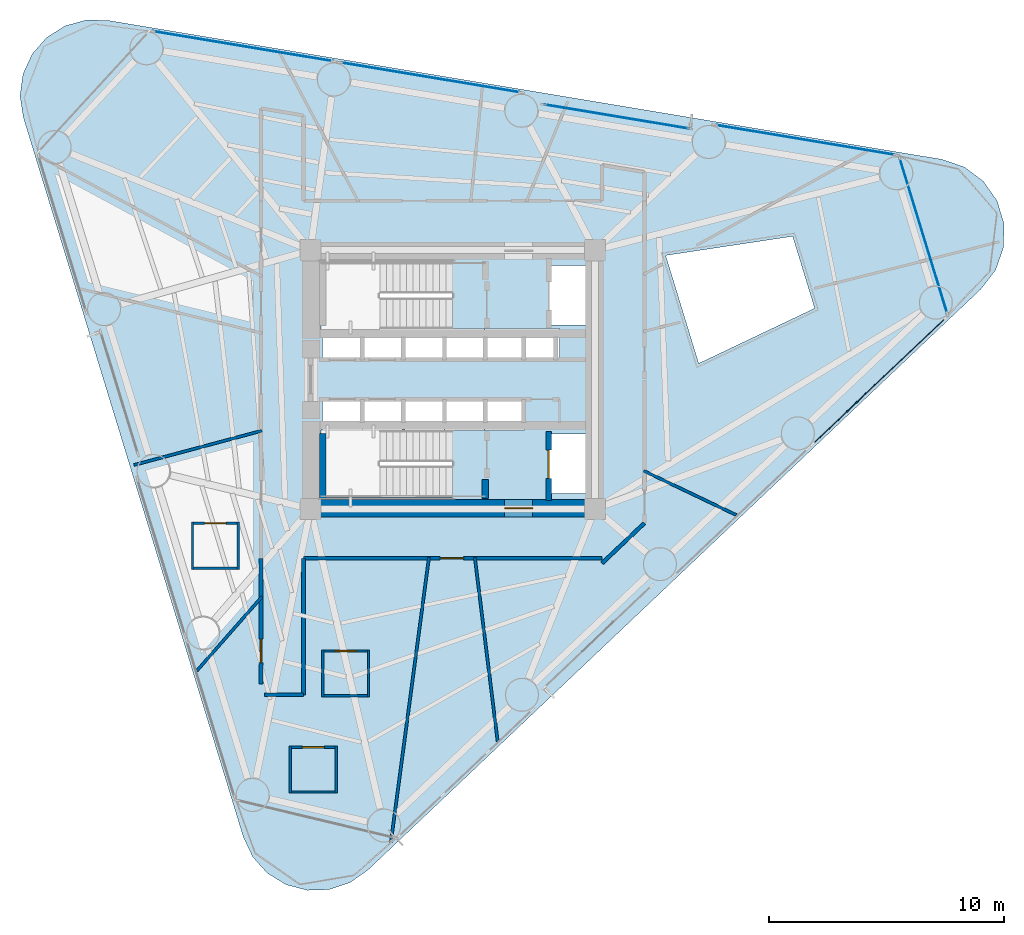
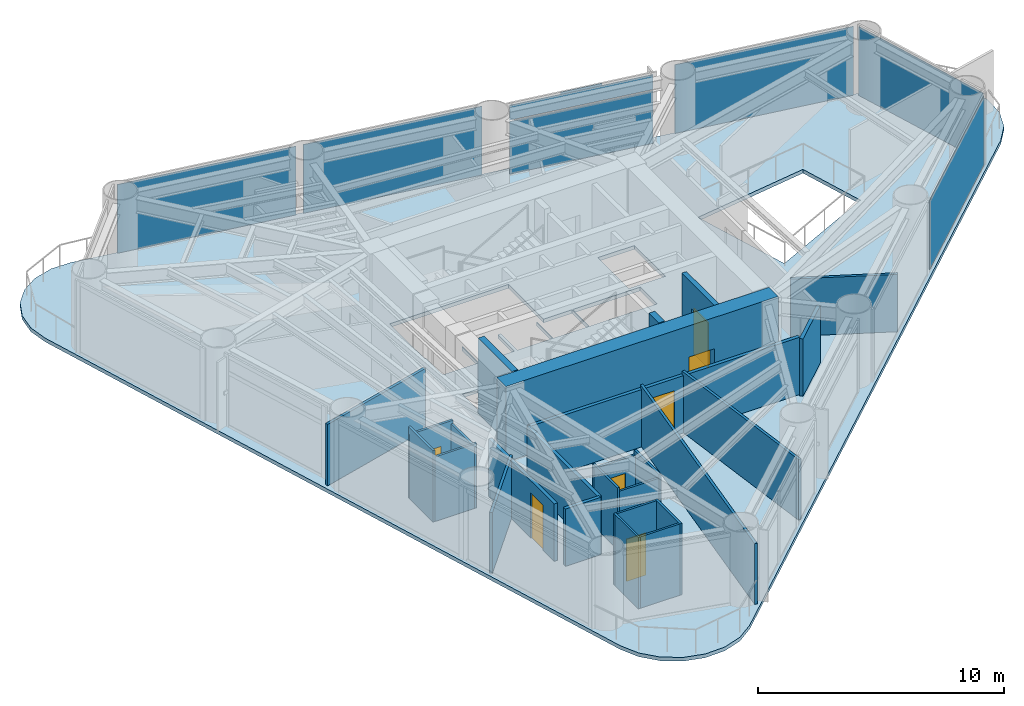
# One storey, part 5 of 10: 26 walls, 8 plates, 7 doors, 1 slab, 7 openings, 6 elements without a shape of their own.
"""IFC4 building model written with IfcOpenShell, lengths in metres."""

from ifc_helpers import new_model, si_unit, direction, frame, frame_2d, origin, origin_2d, place, context, subcontext, project, spatial, polyline, rectangle, outline, extrude, source, transform, mapped, material, layer, layer_set, type_object, element, fill, aggregate, save


model = new_model("IFC4")

# Units and contexts
model_context = context("Model", 3, precision=1e-05, world=origin(), true_north=direction((0.0, 1.0)))
body_context = subcontext(model_context, "Body", "Model", "MODEL_VIEW")
ifc_project = project(units=[si_unit("LENGTHUNIT", "METRE"), si_unit("AREAUNIT", "SQUARE_METRE"), si_unit("VOLUMEUNIT", "CUBIC_METRE"), si_unit("PLANEANGLEUNIT", "RADIAN"), si_unit("MASSUNIT", "GRAM", prefix="KILO")], contexts=[model_context])

# Site, building, storey
site_placement = place(None, origin())
site = spatial("IfcSite", under=ifc_project, at=site_placement, CompositionType="ELEMENT")
building_placement = place(site_placement, origin())
building = spatial("IfcBuilding", under=site, at=building_placement, Name="Yunling Apex Tower", CompositionType="ELEMENT")
storey_placement = place(building_placement, frame((0.0, 0.0, 112.39990234375)))
storey = spatial("IfcBuildingStorey", under=building, at=storey_placement, Name="L28", CompositionType="ELEMENT", Elevation=112.39990234375)

# Slab
ifc_material_1 = material(Name="Concrete C40", Category="concrete")
ifc_layer_1 = layer(ifc_material_1, 0.179931640625)
ifc_layer_set_1 = layer_set([ifc_layer_1], Name="Concrete C40")
slab_type = type_object("IfcSlabType", Name="SL-FLR-1", PredefinedType="FLOOR", material=ifc_layer_set_1)
slab_placement = place(storey_placement, frame((0.0, 0.0, -0.184814453125)))
element("IfcSlab", 1, at=slab_placement, inside=storey, type_object=slab_type, Name="L28 Composite Tower Floor Slab", PredefinedType="FLOOR", context=body_context, shape_type="SweptSolid", body=[
    extrude(outline(polyline([(-8.89990234375, -19.45263671875), (-8.50146484375, -20.294921875), (-7.87841796875, -20.98779296875), (-7.083251953125, -21.473388671875), (-6.182373046875, -21.710693359375), (-5.251220703125, -21.680419921875), (-4.367431640625, -21.384765625), (-3.605712890625, -20.848388671875), (22.4599609375, 3.852294921875), (23.077880859375, 4.65869140625), (23.413818359375, 5.61767578125), (23.434326171875, 6.63330078125), (23.13720703125, 7.60498046875), (22.55224609375, 8.435791015625), (21.737548828125, 9.042724609375), (20.774169921875, 9.36572265625), (-14.6474609375, 15.267822265625), (-15.5791015625, 15.28662109375), (-16.476806640625, 15.03759765625), (-17.265869140625, 14.5419921875), (-17.8798828125, 13.84130859375), (-18.267578125, 12.993896484375), (-18.396728515625, 12.0712890625), (-18.256103515625, 11.150390625), (-8.89990234375, -19.45263671875)]), holes=[polyline([(14.45068359375, 6.091064453125), (15.385986328125, 3.031005859375), (10.4560546875, 0.68701171875), (9.052490234375, 5.27734375), (14.45068359375, 6.091064453125)]), polyline([(5.81005859375, -2.320068359375), (5.81005859375, -4.840087890625), (4.090087890625, -4.840087890625), (4.090087890625, -2.320068359375), (5.81005859375, -2.320068359375)]), polyline([(5.81005859375, 4.840087890625), (5.81005859375, 2.320068359375), (4.090087890625, 2.320068359375), (4.090087890625, 4.840087890625), (5.81005859375, 4.840087890625)]), polyline([(4.534912109375, 0.794921875), (1.364990234375, 0.794921875), (1.364990234375, 2.1650390625), (4.534912109375, 2.1650390625), (4.534912109375, 0.794921875)]), polyline([(3.034912109375, -0.794921875), (3.034912109375, -2.1650390625), (1.364990234375, -2.1650390625), (1.364990234375, -0.794921875), (3.034912109375, -0.794921875)]), polyline([(-3.864990234375, -0.794921875), (-3.864990234375, -2.139892578125), (-3.8349609375, -2.139892578125), (-3.8349609375, -0.794921875), (-2.1650390625, -0.794921875), (-2.1650390625, -2.139892578125), (-2.034912109375, -2.139892578125), (-2.034912109375, -0.794921875), (-0.364990234375, -0.794921875), (-0.364990234375, -2.139892578125), (-0.3349609375, -2.139892578125), (-0.3349609375, -0.794921875), (1.3349609375, -0.794921875), (1.3349609375, -2.1650390625), (-0.010009765625, -2.1650390625), (-0.010009765625, -5.010009765625), (-5.60009765625, -5.010009765625), (-5.60009765625, -2.139892578125), (-5.534912109375, -2.139892578125), (-5.534912109375, -0.794921875), (-3.864990234375, -0.794921875)]), polyline([(-5.60009765625, 2.139892578125), (-5.60009765625, 5.010009765625), (-0.010009765625, 5.010009765625), (-0.010009765625, 2.1650390625), (1.3349609375, 2.1650390625), (1.3349609375, 0.794921875), (-0.3349609375, 0.794921875), (-0.3349609375, 2.139892578125), (-0.364990234375, 2.139892578125), (-0.364990234375, 0.794921875), (-2.034912109375, 0.794921875), (-2.034912109375, 2.139892578125), (-2.1650390625, 2.139892578125), (-2.1650390625, 0.794921875), (-3.8349609375, 0.794921875), (-3.8349609375, 2.139892578125), (-3.864990234375, 2.139892578125), (-3.864990234375, 0.794921875), (-5.534912109375, 0.794921875), (-5.534912109375, 2.139892578125), (-5.60009765625, 2.139892578125)])]), origin(), (0.0, 0.0, 1.0), 0.184814453125),
])

# Plate
ifc_material_2 = material(Name="Bronze anodised aluminium", Category="aluminium")
ifc_layer_2 = layer(ifc_material_2, 0.011962890625)
ifc_layer_set_2 = layer_set([ifc_layer_2], Name="Bronze anodised aluminium")
plate_type_1 = type_object("IfcPlateType", Name="SP-SHT-1", PredefinedType="SHEET", material=ifc_layer_set_2)
shared_shape_1 = source(origin(), body_context, "Body", "SweptSolid", [
    extrude(rectangle(XDim=1.800048828125, YDim=0.02392578125, at=origin_2d()), origin(), (0.0, 0.0, 1.0), 0.43994140625),
])
plate_1_placement = place(storey_placement, frame((6.96923828125, 11.17919921875, 3.1650390625), z_axis=(0.0, 0.0, 1.0), x_axis=(-0.986400586142, 0.164359008451, 0.0)))
element("IfcPlate", 2, at=plate_1_placement, inside=storey, type_object=plate_type_1, Name="SP-GRV-L28-F2", PredefinedType="SHEET", context=body_context, shape_type="MappedRepresentation", body=[
    mapped(shared_shape_1, transform((0.0, 0.0, 0.0), scale=1.0)),
])

# Curtain wall, plates
ifc_layer_3 = layer(ifc_material_2, 0.260009765625)
ifc_layer_set_3 = layer_set([ifc_layer_3], Name="Bronze anodised aluminium")
curtain_wall_type = type_object("IfcCurtainWallType", Name="CW-SYS-2", PredefinedType="NOTDEFINED", material=ifc_layer_set_3)
curtain_wall_1_placement = place(storey_placement, origin())
curtain_wall_1 = element("IfcCurtainWall", 3, at=curtain_wall_1_placement, inside=storey, type_object=curtain_wall_type, Name="CW-L28-F2-B2", PredefinedType="NOTDEFINED")
ifc_material_3 = material(Name="Bronze tinted low-E glass", Category="glass")
ifc_layer_4 = layer(ifc_material_3, 0.033935546875)
ifc_layer_set_4 = layer_set([ifc_layer_4], Name="Bronze tinted low-E glass")
plate_type_2 = type_object("IfcPlateType", Name="CW-PNL-2", PredefinedType="CURTAIN_PANEL", material=ifc_layer_set_4)
shared_shape_2 = source(origin(), body_context, "Body", "SweptSolid", [
    extrude(rectangle(XDim=6.236328125, YDim=0.033935546875, at=origin_2d()), origin(), (0.0, 0.0, 1.0), 2.60400390625),
])
plate_2_placement = place(storey_placement, frame((6.96923828125, 11.17919921875, 0.076904296875), z_axis=(0.0, 0.0, 1.0), x_axis=(-0.986401113409, 0.164355844023, 0.0)))
plate_2 = element("IfcPlate", 4, at=plate_2_placement, type_object=plate_type_2, Name="CW-SYS-2 panel 1.1", PredefinedType="CURTAIN_PANEL", context=body_context, shape_type="MappedRepresentation", body=[
    mapped(shared_shape_2, transform((0.0, 0.0, 0.0), scale=1.0)),
])
shared_shape_3 = source(origin(), body_context, "Body", "SweptSolid", [
    extrude(rectangle(XDim=6.236328125, YDim=0.033935546875, at=origin_2d()), origin(), (0.0, 0.0, 1.0), 0.739013671875),
])
plate_3_placement = place(storey_placement, frame((6.96923828125, 11.17919921875, 2.74951171875), z_axis=(0.0, 0.0, 1.0), x_axis=(-0.986401113409, 0.164355844023, 0.0)))
plate_3 = element("IfcPlate", 5, at=plate_3_placement, type_object=plate_type_2, Name="CW-SYS-2 panel 1.2", PredefinedType="CURTAIN_PANEL", context=body_context, shape_type="MappedRepresentation", body=[
    mapped(shared_shape_3, transform((0.0, 0.0, 0.0), scale=1.0)),
])
aggregate(curtain_wall_1, [plate_2, plate_3])

# Curtain wall, plate
curtain_wall_2_placement = place(storey_placement, origin())
curtain_wall_2 = element("IfcCurtainWall", 6, at=curtain_wall_2_placement, inside=storey, type_object=curtain_wall_type, Name="CW-L28-F1-B4", PredefinedType="NOTDEFINED")
shared_shape_4 = source(origin(), body_context, "Body", "SweptSolid", [
    extrude(rectangle(XDim=7.766357421875, YDim=0.033935546875, at=origin_2d()), origin(), (0.0, 0.0, 1.0), 3.41162109375),
])
plate_4_placement = place(storey_placement, frame((18.1279296875, -0.06005859375, 0.076904296875), z_axis=(0.0, 0.0, 1.0), x_axis=(0.72584218686, 0.687861264918, 0.0)))
plate_4 = element("IfcPlate", 7, at=plate_4_placement, type_object=plate_type_2, Name="CW-SYS-2 panel 1.1", PredefinedType="CURTAIN_PANEL", context=body_context, shape_type="MappedRepresentation", body=[
    mapped(shared_shape_4, transform((0.0, 0.0, 0.0), scale=1.0)),
])
aggregate(curtain_wall_2, [plate_4])

curtain_wall_3_placement = place(storey_placement, origin())
curtain_wall_3 = element("IfcCurtainWall", 8, at=curtain_wall_3_placement, inside=storey, type_object=curtain_wall_type, Name="CW-L28-F2-B1", PredefinedType="NOTDEFINED")
plate_5_placement = place(storey_placement, frame((14.9951171875, 10.186767578125, 0.076904296875), z_axis=(0.0, 0.0, 1.0), x_axis=(-0.98640040698, 0.16436008369, 0.0)))
plate_5 = element("IfcPlate", 9, at=plate_5_placement, type_object=plate_type_2, Name="CW-SYS-2 panel 1.1", PredefinedType="CURTAIN_PANEL", context=body_context, shape_type="MappedRepresentation", body=[
    mapped(shared_shape_4, transform((0.0, 0.0, 0.0), scale=1.0)),
])
aggregate(curtain_wall_3, [plate_5])

curtain_wall_4_placement = place(storey_placement, origin())
curtain_wall_4 = element("IfcCurtainWall", 10, at=curtain_wall_4_placement, inside=storey, type_object=curtain_wall_type, Name="CW-L28-F2-B4", PredefinedType="NOTDEFINED")
plate_6_placement = place(storey_placement, frame((-8.91455078125, 14.170654296875, 0.076904296875), z_axis=(0.0, 0.0, 1.0), x_axis=(-0.98640040698, 0.16436008369, 0.0)))
plate_6 = element("IfcPlate", 11, at=plate_6_placement, type_object=plate_type_2, Name="CW-SYS-2 panel 1.1", PredefinedType="CURTAIN_PANEL", context=body_context, shape_type="MappedRepresentation", body=[
    mapped(shared_shape_4, transform((0.0, 0.0, 0.0), scale=1.0)),
])
aggregate(curtain_wall_4, [plate_6])

curtain_wall_5_placement = place(storey_placement, origin())
curtain_wall_5 = element("IfcCurtainWall", 12, at=curtain_wall_5_placement, inside=storey, type_object=curtain_wall_type, Name="CW-L28-CRN1", PredefinedType="NOTDEFINED")
shared_shape_5 = source(origin(), body_context, "Body", "SweptSolid", [
    extrude(rectangle(XDim=6.925537109375, YDim=0.033935546875, at=origin_2d()), origin(), (0.0, 0.0, 1.0), 3.41162109375),
])
plate_7_placement = place(storey_placement, frame((20.01171875, 6.1181640625, 0.076904296875), z_axis=(0.0, 0.0, 1.0), x_axis=(-0.292375009223, 0.95630374567, 0.0)))
plate_7 = element("IfcPlate", 13, at=plate_7_placement, type_object=plate_type_2, Name="CW-SYS-2 panel 1.1", PredefinedType="CURTAIN_PANEL", context=body_context, shape_type="MappedRepresentation", body=[
    mapped(shared_shape_5, transform((0.0, 0.0, 0.0), scale=1.0)),
])
aggregate(curtain_wall_5, [plate_7])

curtain_wall_6_placement = place(storey_placement, origin())
curtain_wall_6 = element("IfcCurtainWall", 14, at=curtain_wall_6_placement, inside=storey, type_object=curtain_wall_type, Name="CW-L28-F2-B3", PredefinedType="NOTDEFINED")
shared_shape_6 = source(origin(), body_context, "Body", "SweptSolid", [
    extrude(rectangle(XDim=7.76611328125, YDim=0.033935546875, at=origin_2d()), origin(), (0.0, 0.0, 1.0), 3.41162109375),
])
plate_8_placement = place(storey_placement, frame((-0.944580078125, 12.8427734375, 0.076904296875), z_axis=(0.0, 0.0, 1.0), x_axis=(-0.986400065878, 0.164362130784, 0.0)))
plate_8 = element("IfcPlate", 15, at=plate_8_placement, type_object=plate_type_2, Name="CW-SYS-2 panel 1.1", PredefinedType="CURTAIN_PANEL", context=body_context, shape_type="MappedRepresentation", body=[
    mapped(shared_shape_6, transform((0.0, 0.0, 0.0), scale=1.0)),
])
aggregate(curtain_wall_6, [plate_8])

# Wall, opening, door
ifc_material_4 = material(Name="Concrete C60", Category="concrete")
ifc_layer_5 = layer(ifc_material_4, 0.75)
ifc_layer_set_5 = layer_set([ifc_layer_5], Name="Concrete C60")
wall_type_1 = type_object("IfcWallType", Name="WL-COR-1", PredefinedType="SHEAR", material=ifc_layer_set_5)
wall_1_placement = place(storey_placement, frame((-6.39990234375, -5.47509765625, 0.0), z_axis=(0.0, 0.0, 1.0), x_axis=(1.0, 0.0, 0.0)))
wall_1 = element("IfcWall", 16, at=wall_1_placement, inside=storey, type_object=wall_type_1, Name="L28 South Core Shear Wall", PredefinedType="SHEAR", context=body_context, shape_type="SweptSolid", body=[
    extrude(rectangle(XDim=12.7998046875, YDim=0.75, at=frame_2d((6.39990234375, 0.0))), origin(), (0.0, 0.0, 1.0), 3.75),
])
opening_1_placement = place(wall_1_placement, frame((8.60009765625, 0.0, 0.0)))
opening_1 = element("IfcOpeningElement", 17, at=opening_1_placement, cuts=wall_1, Name="Opening DR-FFL-1", PredefinedType="OPENING", context=body_context, shape_type="SweptSolid", body=[
    extrude(rectangle(XDim=1.199951171875, YDim=2.199951171875, at=frame_2d((0.60009765625, 1.10009765625))), frame((0.0, 0.385009765625, 0.0), z_axis=(0.0, -1.0, 0.0), x_axis=(1.0, 0.0, 0.0)), (0.0, 0.0, 1.0), 0.77001953125),
])
ifc_material_5 = material(Name="Steel Q355B", Category="steel")
door_type_1 = type_object("IfcDoorType", Name="DR-FFL-1", OperationType="NOTDEFINED", PredefinedType="DOOR", material=ifc_material_5)
door_1_placement = place(opening_1_placement, origin())
door_1 = element("IfcDoor", 18, at=door_1_placement, inside=storey, type_object=door_type_1, Name="L28 South Firefighting Lobby Door", OperationType="SINGLE_SWING_RIGHT", OverallHeight=2.199951171875, OverallWidth=1.199951171875, PredefinedType="DOOR", context=body_context, shape_type="SweptSolid", body=[
    extrude(rectangle(XDim=1.199951171875, YDim=2.199951171875, at=frame_2d((0.60009765625, 1.10009765625))), frame((0.0, 0.02490234375, 0.0), z_axis=(0.0, -1.0, 0.0), x_axis=(1.0, 0.0, 0.0)), (0.0, 0.0, 1.0), 0.050048828125),
])
fill(opening_1, door_1)

# Walls
ifc_layer_6 = layer(ifc_material_1, 0.280029296875)
ifc_layer_set_6 = layer_set([ifc_layer_6], Name="Concrete C40")
wall_type_2 = type_object("IfcWallType", Name="WL-COR-8", PredefinedType="SHEAR", material=ifc_layer_set_6)
wall_2_placement = place(storey_placement, frame((-5.52001953125, -5.050048828125, 0.0), z_axis=(0.0, 0.0, 1.0), x_axis=(0.0, 1.0, 0.0)))
element("IfcWall", 19, at=wall_2_placement, inside=storey, type_object=wall_type_2, Name="L28 ST-2 West Landing Bearing Wall", PredefinedType="SHEAR", context=body_context, shape_type="SweptSolid", body=[
    extrude(rectangle(XDim=2.75, YDim=0.280029296875, at=frame_2d((1.375, 0.0))), origin(), (0.0, 0.0, 1.0), 3.75),
])
wall_3_placement = place(storey_placement, frame((1.3798828125, -5.050048828125, 0.0), z_axis=(0.0, 0.0, 1.0), x_axis=(0.0, 1.0, 0.0)))
element("IfcWall", 20, at=wall_3_placement, inside=storey, type_object=wall_type_2, Name="L28 ST-2 East Landing Bearing Pier", PredefinedType="SHEAR", context=body_context, shape_type="SweptSolid", body=[
    extrude(rectangle(XDim=0.800048828125, YDim=0.280029296875, at=frame_2d((0.39990234375, 0.0))), origin(), (0.0, 0.0, 1.0), 3.75),
])

# Wall, opening, door
ifc_material_6 = material(Name="Gypsum board acoustic partition")
ifc_layer_7 = layer(ifc_material_6, 0.159912109375)
ifc_layer_set_7 = layer_set([ifc_layer_7], Name="Gypsum board acoustic partition")
wall_type_3 = type_object("IfcWallType", Name="WL-PRT-1", PredefinedType="PARTITIONING", material=ifc_layer_set_7)
wall_4_placement = place(storey_placement, frame((-8.14990234375, -12.94384765625, 0.0), z_axis=(0.0, 0.0, 1.0), x_axis=(0.0, 1.0, 0.0)))
wall_4 = element("IfcWall", 21, at=wall_4_placement, inside=storey, type_object=wall_type_3, Name="WL-CORR-L28-02", PredefinedType="PARTITIONING", context=body_context, shape_type="SweptSolid", body=[
    extrude(rectangle(XDim=5.34375, YDim=0.159912109375, at=frame_2d((2.671875, 0.0))), origin(), (0.0, 0.0, 1.0), 2.85009765625),
])
opening_2_placement = place(wall_4_placement, frame((0.91552734375, 0.0, 0.0)))
opening_2 = element("IfcOpeningElement", 22, at=opening_2_placement, cuts=wall_4, Name="Opening DR-OFF-1", PredefinedType="OPENING", context=body_context, shape_type="SweptSolid", body=[
    extrude(rectangle(XDim=1.0, YDim=2.25, at=frame_2d((0.5, 1.125))), frame((0.0, 0.08984375, 0.0), z_axis=(0.0, -1.0, 0.0), x_axis=(1.0, 0.0, 0.0)), (0.0, 0.0, 1.0), 0.179931640625),
])
door_type_2 = type_object("IfcDoorType", Name="DR-OFF-1", OperationType="NOTDEFINED", PredefinedType="DOOR", material=ifc_material_2)
door_2_placement = place(opening_2_placement, origin())
door_2 = element("IfcDoor", 23, at=door_2_placement, inside=storey, type_object=door_type_2, Name="L28 Service Foyer Lounge Door", OperationType="SINGLE_SWING_RIGHT", OverallHeight=2.25, OverallWidth=1.0, PredefinedType="DOOR", context=body_context, shape_type="SweptSolid", body=[
    extrude(rectangle(XDim=1.0, YDim=2.25, at=frame_2d((0.5, 1.125))), frame((0.0, 0.02490234375, 0.0), z_axis=(0.0, -1.0, 0.0), x_axis=(1.0, 0.0, 0.0)), (0.0, 0.0, 1.0), 0.050048828125),
])
fill(opening_2, door_2)

# Wall
wall_5_placement = place(storey_placement, frame((8.14990234375, -6.098876953125, 0.0), z_axis=(0.0, 0.0, 1.0), x_axis=(-0.725854359245, -0.687848420196, 0.0)))
element("IfcWall", 24, at=wall_5_placement, inside=storey, type_object=wall_type_3, Name="WL-CORR-L28-13", PredefinedType="PARTITIONING", context=body_context, shape_type="SweptSolid", body=[
    extrude(rectangle(XDim=2.4794921875, YDim=0.159912109375, at=frame_2d((1.23974609375, 0.0))), origin(), (0.0, 0.0, 1.0), 2.85009765625),
])

# Wall, opening, door
wall_6_placement = place(storey_placement, frame((6.35009765625, -7.60009765625, 0.0), z_axis=(0.0, 0.0, 1.0), x_axis=(-1.0, 0.0, 0.0)))
wall_6 = element("IfcWall", 25, at=wall_6_placement, inside=storey, type_object=wall_type_3, Name="WL-CORR-L28-14", PredefinedType="PARTITIONING", context=body_context, shape_type="SweptSolid", body=[
    extrude(rectangle(XDim=12.7001953125, YDim=0.159912109375, at=frame_2d((6.35009765625, 0.0))), origin(), (0.0, 0.0, 1.0), 2.85009765625),
])
opening_3_placement = place(wall_6_placement, frame((5.88671875, 0.0, 0.0)))
opening_3 = element("IfcOpeningElement", 26, at=opening_3_placement, cuts=wall_6, Name="Opening DR-OFF-1", PredefinedType="OPENING", context=body_context, shape_type="SweptSolid", body=[
    extrude(rectangle(XDim=1.0, YDim=2.25, at=frame_2d((0.5, 1.125))), frame((0.0, 0.08984375, 0.0), z_axis=(0.0, -1.0, 0.0), x_axis=(1.0, 0.0, 0.0)), (0.0, 0.0, 1.0), 0.179931640625),
])
door_3_placement = place(opening_3_placement, origin())
door_3 = element("IfcDoor", 27, at=door_3_placement, inside=storey, type_object=door_type_2, Name="L28 Document Archive Store Door", OperationType="SINGLE_SWING_RIGHT", OverallHeight=2.25, OverallWidth=1.0, PredefinedType="DOOR", context=body_context, shape_type="SweptSolid", body=[
    extrude(rectangle(XDim=1.0, YDim=2.25, at=frame_2d((0.5, 1.125))), frame((0.0, 0.02490234375, 0.0), z_axis=(0.0, -1.0, 0.0), x_axis=(1.0, 0.0, 0.0)), (0.0, 0.0, 1.0), 0.050048828125),
])
fill(opening_3, door_3)

# Walls
wall_7_placement = place(storey_placement, frame((-6.35009765625, -7.60009765625, 0.0), z_axis=(0.0, 0.0, 1.0), x_axis=(0.0, -1.0, 0.0)))
element("IfcWall", 28, at=wall_7_placement, inside=storey, type_object=wall_type_3, Name="WL-CORR-L28-15", PredefinedType="PARTITIONING", context=body_context, shape_type="SweptSolid", body=[
    extrude(rectangle(XDim=5.7998046875, YDim=0.159912109375, at=frame_2d((2.89990234375, 0.0))), origin(), (0.0, 0.0, 1.0), 2.85009765625),
])
wall_8_placement = place(storey_placement, frame((-6.35009765625, -13.39990234375, 0.0), z_axis=(0.0, 0.0, 1.0), x_axis=(-1.0, 0.0, 0.0)))
element("IfcWall", 29, at=wall_8_placement, inside=storey, type_object=wall_type_3, Name="WL-CORR-L28-16", PredefinedType="PARTITIONING", context=body_context, shape_type="SweptSolid", body=[
    extrude(rectangle(XDim=1.660400390625, YDim=0.159912109375, at=frame_2d((0.830078125, 0.0))), origin(), (0.0, 0.0, 1.0), 2.85009765625),
])
ifc_layer_8 = layer(ifc_material_6, 0.1201171875)
ifc_layer_set_8 = layer_set([ifc_layer_8], Name="Gypsum board acoustic partition")
wall_type_4 = type_object("IfcWallType", Name="WL-PRT-3", PredefinedType="PARTITIONING", material=ifc_layer_set_8)
wall_9_placement = place(storey_placement, frame((-8.110107421875, -2.173095703125, 0.0), z_axis=(0.0, 0.0, 1.0), x_axis=(-0.965926955368, -0.258814831287, 0.0)))
element("IfcWall", 30, at=wall_9_placement, inside=storey, type_object=wall_type_4, Name="WL-RAD-L28-01", PredefinedType="PARTITIONING", context=body_context, shape_type="SweptSolid", body=[
    extrude(rectangle(XDim=5.630615234375, YDim=0.1201171875, at=frame_2d((2.8154296875, 0.0))), origin(), (0.0, 0.0, 1.0), 3.050048828125),
])
wall_10_placement = place(storey_placement, frame((-8.110107421875, -9.22900390625, 0.0), z_axis=(0.0, 0.0, 1.0), x_axis=(-0.66009168755, -0.751185039805, 0.0)))
element("IfcWall", 31, at=wall_10_placement, inside=storey, type_object=wall_type_4, Name="WL-RAD-L28-02", PredefinedType="PARTITIONING", context=body_context, shape_type="SweptSolid", body=[
    extrude(rectangle(XDim=4.18896484375, YDim=0.1201171875, at=frame_2d((2.094482421875, 0.0))), origin(), (0.0, 0.0, 1.0), 3.010009765625),
])
wall_11_placement = place(storey_placement, frame((-1.0107421875, -7.56005859375, 0.0), z_axis=(0.0, 0.0, 1.0), x_axis=(-0.132529998166, -0.991178994726, 0.0)))
element("IfcWall", 32, at=wall_11_placement, inside=storey, type_object=wall_type_4, Name="WL-RAD-L28-03", PredefinedType="PARTITIONING", context=body_context, shape_type="SweptSolid", body=[
    extrude(rectangle(XDim=12.224609375, YDim=0.1201171875, at=frame_2d((6.1123046875, 0.0))), origin(), (0.0, 0.0, 1.0), 3.010009765625),
])
wall_12_placement = place(storey_placement, frame((0.938720703125, -7.56005859375, 0.0), z_axis=(0.0, 0.0, 1.0), x_axis=(0.12317613507, -0.992384824425, 0.0)))
element("IfcWall", 33, at=wall_12_placement, inside=storey, type_object=wall_type_4, Name="WL-RAD-L28-04", PredefinedType="PARTITIONING", context=body_context, shape_type="SweptSolid", body=[
    extrude(rectangle(XDim=7.874755859375, YDim=0.1201171875, at=frame_2d((3.9375, 0.0))), origin(), (0.0, 0.0, 1.0), 3.010009765625),
])
wall_13_placement = place(storey_placement, frame((8.110107421875, -3.875, 0.0), z_axis=(0.0, 0.0, 1.0), x_axis=(0.902280645173, -0.431149205433, 0.0)))
element("IfcWall", 34, at=wall_13_placement, inside=storey, type_object=wall_type_4, Name="WL-RAD-L28-05", PredefinedType="PARTITIONING", context=body_context, shape_type="SweptSolid", body=[
    extrude(rectangle(XDim=4.3720703125, YDim=0.1201171875, at=frame_2d((2.18603515625, 0.0))), origin(), (0.0, 0.0, 1.0), 2.85009765625),
])

# Wall, opening, door
ifc_layer_9 = layer(ifc_material_6, 0.10009765625)
ifc_layer_set_9 = layer_set([ifc_layer_9], Name="Gypsum board acoustic partition")
wall_type_5 = type_object("IfcWallType", Name="WL-PRT-4", PredefinedType="PARTITIONING", material=ifc_layer_set_9)
wall_14_placement = place(storey_placement, frame((-6.9541015625, -15.6298828125, 0.0), z_axis=(0.0, 0.0, 1.0), x_axis=(1.0, 0.0, 0.0)))
wall_14 = element("IfcWall", 35, at=wall_14_placement, inside=storey, type_object=wall_type_5, Name="WL-L28-WCMN", PredefinedType="PARTITIONING", context=body_context, shape_type="SweptSolid", body=[
    extrude(rectangle(XDim=2.050048828125, YDim=0.10009765625, at=frame_2d((1.02490234375, 0.0))), origin(), (0.0, 0.0, 1.0), 3.545166015625),
])
opening_4_placement = place(wall_14_placement, frame((0.56494140625, 0.0, 0.0)))
opening_4 = element("IfcOpeningElement", 36, at=opening_4_placement, cuts=wall_14, Name="Opening DR-WC-1", PredefinedType="OPENING", context=body_context, shape_type="SweptSolid", body=[
    extrude(rectangle(XDim=0.919921875, YDim=2.10009765625, at=frame_2d((0.4599609375, 1.050048828125))), frame((0.0, 0.06005859375, 0.0), z_axis=(0.0, -1.0, 0.0), x_axis=(1.0, 0.0, 0.0)), (0.0, 0.0, 1.0), 0.1201171875),
])
ifc_material_7 = material(Name="Timber moisture-resistant leaf", Category="wood")
door_type_3 = type_object("IfcDoorType", Name="DR-WC-1", OperationType="NOTDEFINED", PredefinedType="DOOR", material=ifc_material_7)
door_4_placement = place(opening_4_placement, origin())
door_4 = element("IfcDoor", 37, at=door_4_placement, inside=storey, type_object=door_type_3, Name="L28 Male Toilet Door", OperationType="SINGLE_SWING_LEFT", OverallHeight=2.10009765625, OverallWidth=0.919921875, PredefinedType="DOOR", context=body_context, shape_type="SweptSolid", body=[
    extrude(rectangle(XDim=0.919921875, YDim=2.10009765625, at=frame_2d((0.4599609375, 1.050048828125))), frame((0.0, 0.02490234375, 0.0), z_axis=(0.0, -1.0, 0.0), x_axis=(1.0, 0.0, 0.0)), (0.0, 0.0, 1.0), 0.050048828125),
])
fill(opening_4, door_4)

# Walls
wall_15_placement = place(storey_placement, frame((-4.904052734375, -17.530029296875, 0.0), z_axis=(0.0, 0.0, 1.0), x_axis=(-1.0, 0.0, 0.0)))
element("IfcWall", 38, at=wall_15_placement, inside=storey, type_object=wall_type_5, Name="WL-L28-WCMS", PredefinedType="PARTITIONING", context=body_context, shape_type="SweptSolid", body=[
    extrude(rectangle(XDim=2.050048828125, YDim=0.10009765625, at=frame_2d((1.02490234375, 0.0))), origin(), (0.0, 0.0, 1.0), 3.545166015625),
])
for number, where, z_axis, x_axis, name in (
    (39, (-4.9541015625, -15.580078125, 0.0), (0.0, 0.0, 1.0), (0.0, -1.0, 0.0), "WL-L28-WCME"),
    (40, (-6.904052734375, -17.580078125, 0.0), (0.0, 0.0, 1.0), (0.0, 1.0, 0.0), "WL-L28-WCMW"),
):
    element("IfcWall", number, at=place(storey_placement, frame(where, z_axis=z_axis, x_axis=x_axis)), inside=storey, type_object=wall_type_5, Name=name, PredefinedType="PARTITIONING", context=body_context, shape_type="SweptSolid", body=[
        extrude(rectangle(XDim=2.0, YDim=0.10009765625, at=frame_2d((1.0, 0.0))), origin(), (0.0, 0.0, 1.0), 3.545166015625),
    ])

# Wall, opening, door
wall_16_placement = place(storey_placement, frame((-5.5791015625, -11.5380859375, 0.0), z_axis=(0.0, 0.0, 1.0), x_axis=(1.0, 0.0, 0.0)))
wall_16 = element("IfcWall", 41, at=wall_16_placement, inside=storey, type_object=wall_type_5, Name="WL-L28-WCFN", PredefinedType="PARTITIONING", context=body_context, shape_type="SweptSolid", body=[
    extrude(rectangle(XDim=2.050048828125, YDim=0.10009765625, at=frame_2d((1.02490234375, 0.0))), origin(), (0.0, 0.0, 1.0), 2.85009765625),
])
opening_5_placement = place(wall_16_placement, frame((0.56494140625, 0.0, 0.0)))
opening_5 = element("IfcOpeningElement", 42, at=opening_5_placement, cuts=wall_16, Name="Opening DR-WC-1", PredefinedType="OPENING", context=body_context, shape_type="SweptSolid", body=[
    extrude(rectangle(XDim=0.919921875, YDim=2.10009765625, at=frame_2d((0.4599609375, 1.050048828125))), frame((0.0, 0.06005859375, 0.0), z_axis=(0.0, -1.0, 0.0), x_axis=(1.0, 0.0, 0.0)), (0.0, 0.0, 1.0), 0.1201171875),
])
door_5_placement = place(opening_5_placement, origin())
door_5 = element("IfcDoor", 43, at=door_5_placement, inside=storey, type_object=door_type_3, Name="L28 Female Toilet Door", OperationType="SINGLE_SWING_RIGHT", OverallHeight=2.10009765625, OverallWidth=0.919921875, PredefinedType="DOOR", context=body_context, shape_type="SweptSolid", body=[
    extrude(rectangle(XDim=0.919921875, YDim=2.10009765625, at=frame_2d((0.4599609375, 1.050048828125))), frame((0.0, 0.02490234375, 0.0), z_axis=(0.0, -1.0, 0.0), x_axis=(1.0, 0.0, 0.0)), (0.0, 0.0, 1.0), 0.050048828125),
])
fill(opening_5, door_5)

# Walls
wall_17_placement = place(storey_placement, frame((-3.529052734375, -13.43798828125, 0.0), z_axis=(0.0, 0.0, 1.0), x_axis=(-1.0, 0.0, 0.0)))
element("IfcWall", 44, at=wall_17_placement, inside=storey, type_object=wall_type_5, Name="WL-L28-WCFS", PredefinedType="PARTITIONING", context=body_context, shape_type="SweptSolid", body=[
    extrude(rectangle(XDim=2.050048828125, YDim=0.10009765625, at=frame_2d((1.02490234375, 0.0))), origin(), (0.0, 0.0, 1.0), 2.85009765625),
])
for number, where, z_axis, x_axis, name in (
    (45, (-3.5791015625, -11.488037109375, 0.0), (0.0, 0.0, 1.0), (0.0, -1.0, 0.0), "WL-L28-WCFE"),
    (46, (-5.529052734375, -13.488037109375, 0.0), (0.0, 0.0, 1.0), (0.0, 1.0, 0.0), "WL-L28-WCFW"),
):
    element("IfcWall", number, at=place(storey_placement, frame(where, z_axis=z_axis, x_axis=x_axis)), inside=storey, type_object=wall_type_5, Name=name, PredefinedType="PARTITIONING", context=body_context, shape_type="SweptSolid", body=[
        extrude(rectangle(XDim=2.0, YDim=0.10009765625, at=frame_2d((1.0, 0.0))), origin(), (0.0, 0.0, 1.0), 3.050048828125),
    ])

# Wall, opening, door
wall_18_placement = place(storey_placement, frame((-11.115966796875, -6.113037109375, 0.0), z_axis=(0.0, 0.0, 1.0), x_axis=(1.0, 0.0, 0.0)))
wall_18 = element("IfcWall", 47, at=wall_18_placement, inside=storey, type_object=wall_type_5, Name="WL-L28-WCFB0N", PredefinedType="PARTITIONING", context=body_context, shape_type="SweptSolid", body=[
    extrude(rectangle(XDim=2.050048828125, YDim=0.10009765625, at=frame_2d((1.02490234375, 0.0))), origin(), (0.0, 0.0, 1.0), 3.2001953125),
])
opening_6_placement = place(wall_18_placement, frame((0.56494140625, 0.0, 0.0)))
opening_6 = element("IfcOpeningElement", 48, at=opening_6_placement, cuts=wall_18, Name="Opening DR-WC-1", PredefinedType="OPENING", context=body_context, shape_type="SweptSolid", body=[
    extrude(rectangle(XDim=0.919921875, YDim=2.10009765625, at=frame_2d((0.4599609375, 1.050048828125))), frame((0.0, 0.06005859375, 0.0), z_axis=(0.0, -1.0, 0.0), x_axis=(1.0, 0.0, 0.0)), (0.0, 0.0, 1.0), 0.1201171875),
])
door_6_placement = place(opening_6_placement, origin())
door_6 = element("IfcDoor", 49, at=door_6_placement, inside=storey, type_object=door_type_3, Name="L28 Accessible WC Door", OperationType="SINGLE_SWING_LEFT", OverallHeight=2.10009765625, OverallWidth=0.919921875, PredefinedType="DOOR", context=body_context, shape_type="SweptSolid", body=[
    extrude(rectangle(XDim=0.919921875, YDim=2.10009765625, at=frame_2d((0.4599609375, 1.050048828125))), frame((0.0, 0.02490234375, 0.0), z_axis=(0.0, -1.0, 0.0), x_axis=(1.0, 0.0, 0.0)), (0.0, 0.0, 1.0), 0.050048828125),
])
fill(opening_6, door_6)

# Walls
wall_19_placement = place(storey_placement, frame((-9.06591796875, -8.012939453125, 0.0), z_axis=(0.0, 0.0, 1.0), x_axis=(-1.0, 0.0, 0.0)))
element("IfcWall", 50, at=wall_19_placement, inside=storey, type_object=wall_type_5, Name="WL-L28-WCFB0S", PredefinedType="PARTITIONING", context=body_context, shape_type="SweptSolid", body=[
    extrude(rectangle(XDim=2.050048828125, YDim=0.10009765625, at=frame_2d((1.02490234375, 0.0))), origin(), (0.0, 0.0, 1.0), 3.2001953125),
])
wall_20_placement = place(storey_placement, frame((-9.115966796875, -6.06298828125, 0.0), z_axis=(0.0, 0.0, 1.0), x_axis=(0.0, -1.0, 0.0)))
element("IfcWall", 51, at=wall_20_placement, inside=storey, type_object=wall_type_5, Name="WL-L28-WCFB0E", PredefinedType="PARTITIONING", context=body_context, shape_type="SweptSolid", body=[
    extrude(rectangle(XDim=2.0, YDim=0.10009765625, at=frame_2d((1.0, 0.0))), origin(), (0.0, 0.0, 1.0), 3.050048828125),
])
wall_21_placement = place(storey_placement, frame((-11.06591796875, -8.06298828125, 0.0), z_axis=(0.0, 0.0, 1.0), x_axis=(0.0, 1.0, 0.0)))
element("IfcWall", 52, at=wall_21_placement, inside=storey, type_object=wall_type_5, Name="WL-L28-WCFB0W", PredefinedType="PARTITIONING", context=body_context, shape_type="SweptSolid", body=[
    extrude(rectangle(XDim=2.0, YDim=0.10009765625, at=frame_2d((1.0, 0.0))), origin(), (0.0, 0.0, 1.0), 3.545166015625),
])

# Wall, opening, door
ifc_material_8 = material(Name="Autoclaved aerated concrete masonry", Category="masonry")
ifc_layer_10 = layer(ifc_material_8, 0.219970703125)
ifc_layer_set_10 = layer_set([ifc_layer_10], Name="Autoclaved aerated concrete masonry")
wall_type_6 = type_object("IfcWallType", Name="WL-SHF-1", PredefinedType="PLUMBINGWALL", material=ifc_layer_set_10)
wall_22_placement = place(storey_placement, frame((4.080078125, -5.14990234375, 0.0), z_axis=(0.0, 0.0, 1.0), x_axis=(0.0, 1.0, 0.0)))
wall_22 = element("IfcWall", 53, at=wall_22_placement, inside=storey, type_object=wall_type_6, Name="WL-FFL2-W-L28", PredefinedType="PLUMBINGWALL", context=body_context, shape_type="SweptSolid", body=[
    extrude(rectangle(XDim=2.949951171875, YDim=0.219970703125, at=frame_2d((1.47509765625, 0.0))), origin(), (0.0, 0.0, 1.0), 3.545166015625),
])
opening_7_placement = place(wall_22_placement, frame((0.949951171875, 0.0, 0.0)))
opening_7 = element("IfcOpeningElement", 54, at=opening_7_placement, cuts=wall_22, Name="Opening LD-FFL-1", PredefinedType="OPENING", context=body_context, shape_type="SweptSolid", body=[
    extrude(rectangle(XDim=1.199951171875, YDim=2.25, at=frame_2d((0.60009765625, 1.125))), frame((0.0, 0.1201171875, 0.0), z_axis=(0.0, -1.0, 0.0), x_axis=(1.0, 0.0, 0.0)), (0.0, 0.0, 1.0), 0.239990234375),
])
door_type_4 = type_object("IfcDoorType", Name="LD-FFL-1", OperationType="DOUBLE_DOOR_SLIDING", PredefinedType="DOOR", material=ifc_material_5)
door_7_placement = place(opening_7_placement, origin())
door_7 = element("IfcDoor", 55, at=door_7_placement, inside=storey, type_object=door_type_4, Name="L28 Lift FFL-2 Landing Door", OperationType="DOUBLE_DOOR_SLIDING", OverallHeight=2.25, OverallWidth=1.199951171875, PredefinedType="DOOR", context=body_context, shape_type="SweptSolid", body=[
    extrude(rectangle(XDim=1.199951171875, YDim=2.25, at=frame_2d((0.60009765625, 1.125))), frame((0.0, 0.02490234375, 0.0), z_axis=(0.0, -1.0, 0.0), x_axis=(1.0, 0.0, 0.0)), (0.0, 0.0, 1.0), 0.050048828125),
])
fill(opening_7, door_7)

save(model, "model.ifc")
